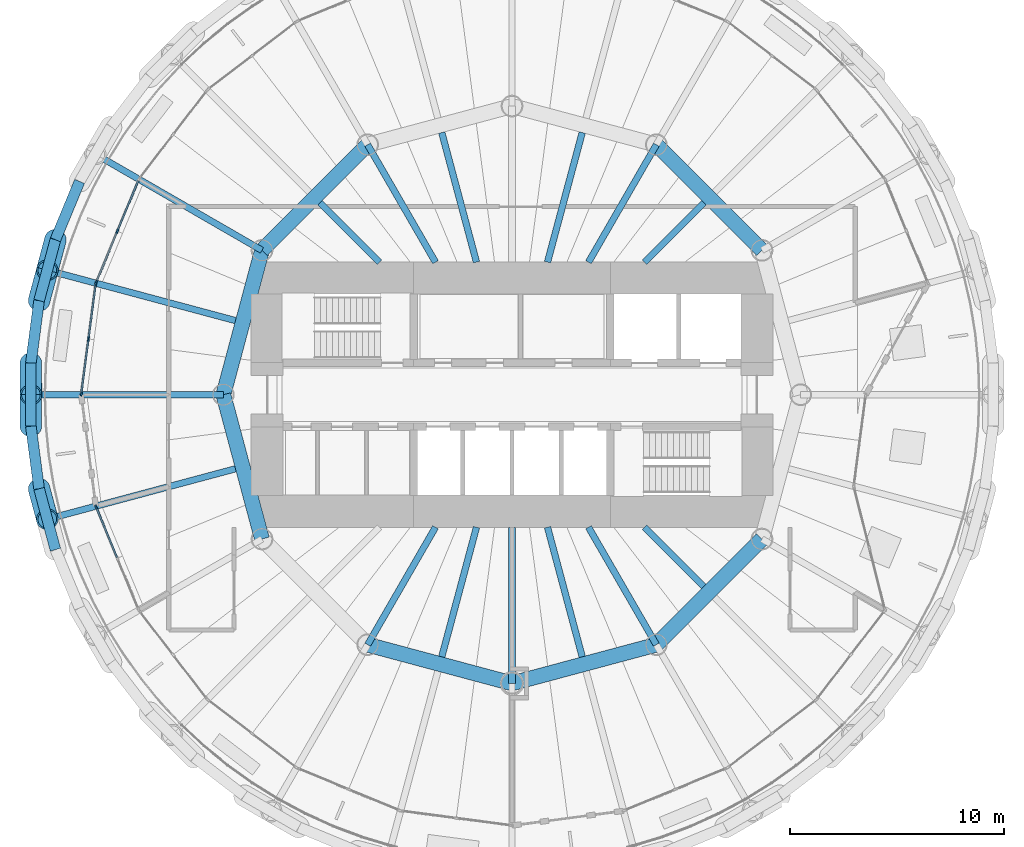
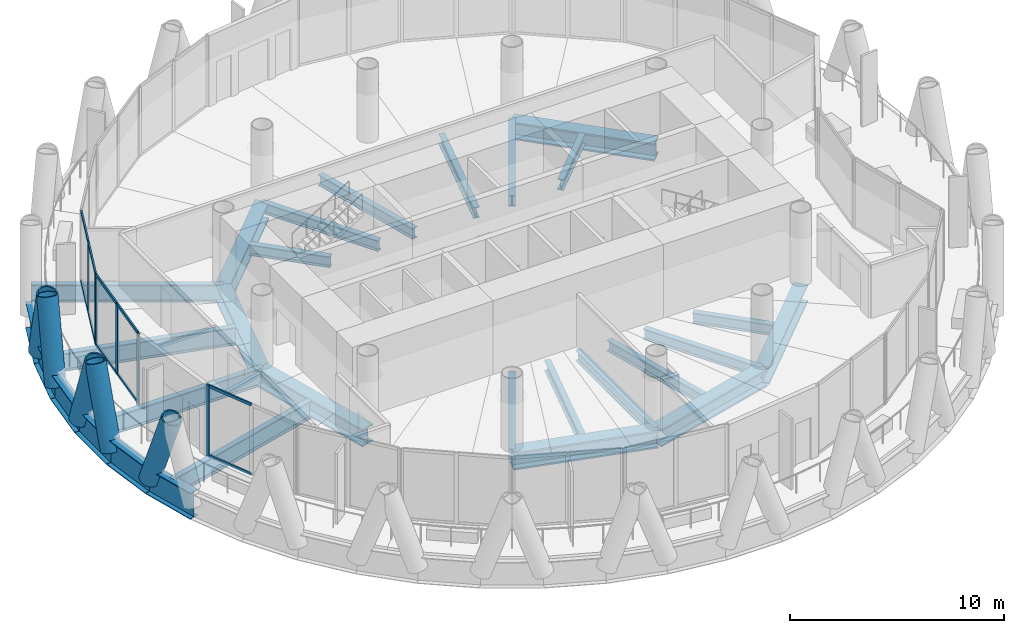
# One storey, part 3 of 13: 29 beams, 21 members, 3 elements without a shape of their own.
"""IFC4 building model written with IfcOpenShell, lengths in metres."""

from ifc_helpers import new_model, si_unit, direction, frame, origin, origin_2d, place, context, subcontext, project, spatial, rectangle, hollow_circle, i_section, extrude, material, material_profile, profile_set, type_object, element, aggregate, save


model = new_model("IFC4")

# Units and contexts
model_context = context("Model", 3, precision=1e-05, world=origin(), true_north=direction((0.0, 1.0)))
body_context = subcontext(model_context, "Body", "Model", "MODEL_VIEW")
ifc_project = project(units=[si_unit("LENGTHUNIT", "METRE"), si_unit("AREAUNIT", "SQUARE_METRE"), si_unit("VOLUMEUNIT", "CUBIC_METRE"), si_unit("PLANEANGLEUNIT", "RADIAN"), si_unit("MASSUNIT", "GRAM", prefix="KILO")], contexts=[model_context])

# Site, building, storey
site_placement = place(None, origin())
site = spatial("IfcSite", under=ifc_project, at=site_placement, CompositionType="ELEMENT")
building_placement = place(site_placement, origin())
building = spatial("IfcBuilding", under=site, at=building_placement, Name="Qaws Media Tower", CompositionType="ELEMENT")
storey_placement = place(building_placement, frame((0.0, 0.0, 223.39990234375)))
storey = spatial("IfcBuildingStorey", under=building, at=storey_placement, Name="L51", CompositionType="ELEMENT", Elevation=223.39990234375)

# Curtain wall, members
ifc_material_1 = material(Name="Aluminium and clear glass", Category="aluminium")
curtain_wall_type = type_object("IfcCurtainWallType", Name="Unitised curtain wall CW-C", PredefinedType="NOTDEFINED", material=ifc_material_1)
curtain_wall_1_placement = place(storey_placement, origin())
curtain_wall_1 = element("IfcCurtainWall", 1, at=curtain_wall_1_placement, inside=storey, type_object=curtain_wall_type, Name="CWC curtain wall L51-11", PredefinedType="NOTDEFINED")
ifc_material_2 = material(Name="Aluminium mullion", Category="aluminium")
ifc_material_profile_1 = material_profile(ifc_material_2, rectangle(XDim=0.080078125, YDim=0.199951171875, at=origin_2d()), Name="80x200")
ifc_profile_set_1 = profile_set([ifc_material_profile_1], Name="Aluminium mullion")
member_type_1 = type_object("IfcMemberType", Name="Curtain wall mullion 80x200", PredefinedType="MULLION", material=ifc_profile_set_1)
member_1_placement = place(storey_placement, frame((41.543212890625, 57.64501953125, 0.0), z_axis=(0.0, 0.0, 1.0), x_axis=(0.92387956031, -0.382683365254, 0.0)))
member_1 = element("IfcMember", 2, at=member_1_placement, type_object=member_type_1, Name="CWC mullion 2", PredefinedType="MULLION", context=body_context, shape_type="SweptSolid", body=[
    extrude(rectangle(XDim=0.080078125, YDim=0.199951171875, at=origin_2d()), origin(), (0.0, 0.0, 1.0), 4.0400390625),
])
member_2_placement = place(storey_placement, frame((40.552001953125, 55.252197265625, 0.0), z_axis=(0.0, 0.0, 1.0), x_axis=(0.92387956031, -0.382683365254, 0.0)))
member_2 = element("IfcMember", 3, at=member_2_placement, type_object=member_type_1, Name="CWC mullion 3", PredefinedType="MULLION", context=body_context, shape_type="SweptSolid", body=[
    extrude(rectangle(XDim=0.080078125, YDim=0.199951171875, at=origin_2d()), origin(), (0.0, 0.0, 1.0), 4.0400390625),
])

curtain_wall_2_placement = place(storey_placement, origin())
curtain_wall_2 = element("IfcCurtainWall", 4, at=curtain_wall_2_placement, inside=storey, type_object=curtain_wall_type, Name="CWC curtain wall L51-12", PredefinedType="NOTDEFINED")
member_3_placement = place(storey_placement, frame((40.531494140625, 55.175537109375, 0.0), z_axis=(0.0, 0.0, 1.0), x_axis=(0.991444852321, -0.130526260986, 0.0)))
member_3 = element("IfcMember", 5, at=member_3_placement, type_object=member_type_1, Name="CWC mullion 1", PredefinedType="MULLION", context=body_context, shape_type="SweptSolid", body=[
    extrude(rectangle(XDim=0.080078125, YDim=0.199951171875, at=origin_2d()), origin(), (0.0, 0.0, 1.0), 4.0400390625),
])
member_4_placement = place(storey_placement, frame((40.193359375, 52.607666015625, 0.0), z_axis=(0.0, 0.0, 1.0), x_axis=(0.991444852321, -0.130526260986, 0.0)))
member_4 = element("IfcMember", 6, at=member_4_placement, type_object=member_type_1, Name="CWC mullion 2", PredefinedType="MULLION", context=body_context, shape_type="SweptSolid", body=[
    extrude(rectangle(XDim=0.080078125, YDim=0.199951171875, at=origin_2d()), origin(), (0.0, 0.0, 1.0), 4.0400390625),
])
member_5_placement = place(storey_placement, frame((39.855224609375, 50.03955078125, 0.0), z_axis=(0.0, 0.0, 1.0), x_axis=(0.991444852321, -0.130526260986, 0.0)))
member_5 = element("IfcMember", 7, at=member_5_placement, type_object=member_type_1, Name="CWC mullion 3", PredefinedType="MULLION", context=body_context, shape_type="SweptSolid", body=[
    extrude(rectangle(XDim=0.080078125, YDim=0.199951171875, at=origin_2d()), origin(), (0.0, 0.0, 1.0), 4.0400390625),
])

# Curtain wall, member
curtain_wall_3_placement = place(storey_placement, origin())
curtain_wall_3 = element("IfcCurtainWall", 8, at=curtain_wall_3_placement, inside=storey, type_object=curtain_wall_type, Name="CWC curtain wall L51-14", PredefinedType="NOTDEFINED")
member_6_placement = place(storey_placement, frame((40.552001953125, 44.747802734375, 0.0), z_axis=(0.0, 0.0, 1.0), x_axis=(0.92387956031, 0.382683365254, 0.0)))
member_6 = element("IfcMember", 9, at=member_6_placement, type_object=member_type_1, Name="CWC mullion 1", PredefinedType="MULLION", context=body_context, shape_type="SweptSolid", body=[
    extrude(rectangle(XDim=0.080078125, YDim=0.199951171875, at=origin_2d()), origin(), (0.0, 0.0, 1.0), 4.0400390625),
])

# Member
ifc_material_3 = material(Name="Aluminium transom", Category="aluminium")
ifc_material_profile_2 = material_profile(ifc_material_3, rectangle(XDim=0.080078125, YDim=0.159912109375, at=origin_2d()), Name="80x160")
ifc_profile_set_2 = profile_set([ifc_material_profile_2], Name="Aluminium transom")
member_type_2 = type_object("IfcMemberType", Name="Curtain wall transom 80x160", PredefinedType="USERDEFINED", material=ifc_profile_set_2)
member_7_placement = place(storey_placement, frame((42.51904296875, 60.0009765625, 0.0400390625), z_axis=(-0.382749815673, -0.92385203285, 0.0), x_axis=(0.92385203285, -0.382749815673, 0.0)))
member_7 = element("IfcMember", 10, at=member_7_placement, type_object=member_type_2, Name="CWC transom 1.1", ObjectType="TRANSOM", PredefinedType="USERDEFINED", context=body_context, shape_type="SweptSolid", body=[
    extrude(rectangle(XDim=0.080078125, YDim=0.159912109375, at=origin_2d()), origin(), (0.0, 0.0, 1.0), 2.510009765625),
])

member_8_placement = place(storey_placement, frame((42.51904296875, 60.0009765625, 4.0), z_axis=(-0.382749815673, -0.92385203285, 0.0), x_axis=(0.92385203285, -0.382749815673, 0.0)))
member_8 = element("IfcMember", 11, at=member_8_placement, type_object=member_type_2, Name="CWC transom 1.2", ObjectType="TRANSOM", PredefinedType="USERDEFINED", context=body_context, shape_type="SweptSolid", body=[
    extrude(rectangle(XDim=0.080078125, YDim=0.159912109375, at=origin_2d()), origin(), (0.0, 0.0, 1.0), 2.510009765625),
])

member_9_placement = place(storey_placement, frame((41.52783203125, 57.608154296875, 0.0400390625), z_axis=(-0.382715424105, -0.92386628045, 0.0), x_axis=(0.92386628045, -0.382715424105, 0.0)))
member_9 = element("IfcMember", 12, at=member_9_placement, type_object=member_type_2, Name="CWC transom 2.1", ObjectType="TRANSOM", PredefinedType="USERDEFINED", context=body_context, shape_type="SweptSolid", body=[
    extrude(rectangle(XDim=0.080078125, YDim=0.159912109375, at=origin_2d()), origin(), (0.0, 0.0, 1.0), 2.51025390625),
])

member_10_placement = place(storey_placement, frame((41.52783203125, 57.608154296875, 4.0), z_axis=(-0.382715424105, -0.92386628045, 0.0), x_axis=(0.92386628045, -0.382715424105, 0.0)))
member_10 = element("IfcMember", 13, at=member_10_placement, type_object=member_type_2, Name="CWC transom 2.2", ObjectType="TRANSOM", PredefinedType="USERDEFINED", context=body_context, shape_type="SweptSolid", body=[
    extrude(rectangle(XDim=0.080078125, YDim=0.159912109375, at=origin_2d()), origin(), (0.0, 0.0, 1.0), 2.51025390625),
])

aggregate(curtain_wall_1, [member_1, member_2, member_7, member_8, member_9, member_10])

member_11_placement = place(storey_placement, frame((40.526123046875, 55.135986328125, 0.0400390625), z_axis=(-0.130519924592, -0.991445686503, 0.0), x_axis=(0.991445686503, -0.130519924592, 0.0)))
member_11 = element("IfcMember", 14, at=member_11_placement, type_object=member_type_2, Name="CWC transom 1.1", ObjectType="TRANSOM", PredefinedType="USERDEFINED", context=body_context, shape_type="SweptSolid", body=[
    extrude(rectangle(XDim=0.080078125, YDim=0.159912109375, at=origin_2d()), origin(), (0.0, 0.0, 1.0), 2.51025390625),
])

member_12_placement = place(storey_placement, frame((40.526123046875, 55.135986328125, 4.0), z_axis=(-0.130519924592, -0.991445686503, 0.0), x_axis=(0.991445686503, -0.130519924592, 0.0)))
member_12 = element("IfcMember", 15, at=member_12_placement, type_object=member_type_2, Name="CWC transom 1.2", ObjectType="TRANSOM", PredefinedType="USERDEFINED", context=body_context, shape_type="SweptSolid", body=[
    extrude(rectangle(XDim=0.080078125, YDim=0.159912109375, at=origin_2d()), origin(), (0.0, 0.0, 1.0), 2.51025390625),
])

member_13_placement = place(storey_placement, frame((40.18798828125, 52.56787109375, 0.0400390625), z_axis=(-0.130532511282, -0.991444029433, 0.0), x_axis=(0.991444029433, -0.130532511282, 0.0)))
member_13 = element("IfcMember", 16, at=member_13_placement, type_object=member_type_2, Name="CWC transom 2.1", ObjectType="TRANSOM", PredefinedType="USERDEFINED", context=body_context, shape_type="SweptSolid", body=[
    extrude(rectangle(XDim=0.080078125, YDim=0.159912109375, at=origin_2d()), origin(), (0.0, 0.0, 1.0), 2.510009765625),
])

member_14_placement = place(storey_placement, frame((40.18798828125, 52.56787109375, 4.0), z_axis=(-0.130532511282, -0.991444029433, 0.0), x_axis=(0.991444029433, -0.130532511282, 0.0)))
member_14 = element("IfcMember", 17, at=member_14_placement, type_object=member_type_2, Name="CWC transom 2.2", ObjectType="TRANSOM", PredefinedType="USERDEFINED", context=body_context, shape_type="SweptSolid", body=[
    extrude(rectangle(XDim=0.080078125, YDim=0.159912109375, at=origin_2d()), origin(), (0.0, 0.0, 1.0), 2.510009765625),
])

aggregate(curtain_wall_2, [member_3, member_4, member_5, member_11, member_12, member_13, member_14])

member_15_placement = place(storey_placement, frame((40.567138671875, 44.7109375, 0.0400390625), z_axis=(0.382715424105, -0.92386628045, 0.0), x_axis=(0.92386628045, 0.382715424105, 0.0)))
member_15 = element("IfcMember", 18, at=member_15_placement, type_object=member_type_2, Name="CWC transom 1.1", ObjectType="TRANSOM", PredefinedType="USERDEFINED", context=body_context, shape_type="SweptSolid", body=[
    extrude(rectangle(XDim=0.080078125, YDim=0.159912109375, at=origin_2d()), origin(), (0.0, 0.0, 1.0), 2.51025390625),
])

member_16_placement = place(storey_placement, frame((40.567138671875, 44.7109375, 4.0), z_axis=(0.382715424105, -0.92386628045, 0.0), x_axis=(0.92386628045, 0.382715424105, 0.0)))
member_16 = element("IfcMember", 19, at=member_16_placement, type_object=member_type_2, Name="CWC transom 1.2", ObjectType="TRANSOM", PredefinedType="USERDEFINED", context=body_context, shape_type="SweptSolid", body=[
    extrude(rectangle(XDim=0.080078125, YDim=0.159912109375, at=origin_2d()), origin(), (0.0, 0.0, 1.0), 2.51025390625),
])

aggregate(curtain_wall_3, [member_6, member_15, member_16])

# Members
ifc_material_4 = material(Name="Steel S460", Category="steel")
ifc_material_profile_3 = material_profile(ifc_material_4, hollow_circle(Radius=0.508056640625, WallThickness=0.070068359375, at=origin_2d()), Name="CHS 1016x70")
ifc_profile_set_3 = profile_set([ifc_material_profile_3], Name="Steel S460")
member_type_3 = type_object("IfcMemberType", Name="Diagrid member CHS 1016x70", PredefinedType="USERDEFINED", material=ifc_profile_set_3)
for number, where, z_axis, x_axis, name in (
    (20, (38.646728515625, 57.24853515625, -0.909912109375), (-0.085395161557, -0.320135875408, 0.943515070181), (0.966215704868, -0.257734769998, 0.0), "DG3 diagrid L51 A11"),
    (21, (37.498291015625, 51.474853515625, -0.909912109375), (0.000383922357, -0.331324993668, 0.943516614149), (0.999999328652, 0.001158747774, 0.0), "DG3 diagrid L51 A12"),
    (22, (37.88330078125, 54.399169921875, -0.909912109375), (0.086107428884, 0.319968624274, 0.943507069487), (-0.965644518869, 0.25986662575, 0.0), "DG3 diagrid L51 B12"),
    (23, (37.88330078125, 45.600830078125, -0.909912109375), (0.086107428884, -0.319968624274, 0.943507069487), (0.965644518869, 0.25986662575, 0.0), "DG3 diagrid L51 A13"),
    (24, (37.498291015625, 48.525146484375, -0.909912109375), (0.000383922357, 0.331324993668, 0.943516614149), (-0.999999328652, 0.001158747774, 0.0), "DG3 diagrid L51 B13"),
):
    element("IfcMember", number, at=place(storey_placement, frame(where, z_axis=z_axis, x_axis=x_axis)), inside=storey, type_object=member_type_3, Name=name, ObjectType="DIAGRID", PredefinedType="USERDEFINED", context=body_context, shape_type="SweptSolid", body=[
        extrude(hollow_circle(Radius=0.508056640625, WallThickness=0.070068359375, at=origin_2d()), origin(), (0.0, 0.0, 1.0), 4.451416015625),
    ])

# Beams
ifc_material_5 = material(Name="Steel S460", Category="steel")
ifc_material_profile_4 = material_profile(ifc_material_5, i_section(OverallWidth=0.5, OverallDepth=1.5, WebThickness=0.02001953125, FlangeThickness=0.0400390625, at=origin_2d()), Name="PG 1500x500")
ifc_profile_set_4 = profile_set([ifc_material_profile_4], Name="Steel S460")
beam_type_1 = type_object("IfcBeamType", Name="Edge ring beam PG 1500x500", PredefinedType="BEAM", material=ifc_profile_set_4)
beam_1_placement = place(storey_placement, frame((39.775634765625, 59.9736328125, -0.909912109375), z_axis=(-0.382722162146, -0.92386348916, 0.0), x_axis=(0.92386348916, -0.382722162146, 0.0)))
element("IfcBeam", 25, at=beam_1_placement, inside=storey, type_object=beam_type_1, Name="RB4 edge ring beam L51-21", PredefinedType="BEAM", context=body_context, shape_type="SweptSolid", body=[
    extrude(i_section(OverallWidth=0.5, OverallDepth=1.5, WebThickness=0.02001953125, FlangeThickness=0.0400390625, at=origin_2d()), origin(), (0.0, 0.0, 1.0), 2.94970703125),
])
beam_2_placement = place(storey_placement, frame((38.646728515625, 57.24853515625, -0.909912109375), z_axis=(-0.258800896618, -0.965930688978, 0.0), x_axis=(0.965930688978, -0.258800896618, 0.0)))
element("IfcBeam", 26, at=beam_2_placement, inside=storey, type_object=beam_type_1, Name="RB4 edge ring beam L51-22", PredefinedType="BEAM", context=body_context, shape_type="SweptSolid", body=[
    extrude(i_section(OverallWidth=0.5, OverallDepth=1.5, WebThickness=0.02001953125, FlangeThickness=0.0400390625, at=origin_2d()), origin(), (0.0, 0.0, 1.0), 2.949951171875),
])
beam_3_placement = place(storey_placement, frame((37.88330078125, 54.399169921875, -0.909912109375), z_axis=(-0.130531593338, -0.991444150288, 0.0), x_axis=(0.991444150288, -0.130531593338, 0.0)))
element("IfcBeam", 27, at=beam_3_placement, inside=storey, type_object=beam_type_1, Name="RB4 edge ring beam L51-23", PredefinedType="BEAM", context=body_context, shape_type="SweptSolid", body=[
    extrude(i_section(OverallWidth=0.5, OverallDepth=1.5, WebThickness=0.02001953125, FlangeThickness=0.0400390625, at=origin_2d()), origin(), (0.0, 0.0, 1.0), 2.949462890625),
])
beam_4_placement = place(storey_placement, frame((37.498291015625, 51.474853515625, -0.909912109375), z_axis=(0.0, -1.0, 0.0), x_axis=(1.0, 0.0, 0.0)))
element("IfcBeam", 28, at=beam_4_placement, inside=storey, type_object=beam_type_1, Name="RB4 edge ring beam L51-24", PredefinedType="BEAM", context=body_context, shape_type="SweptSolid", body=[
    extrude(i_section(OverallWidth=0.5, OverallDepth=1.5, WebThickness=0.02001953125, FlangeThickness=0.0400390625, at=origin_2d()), origin(), (0.0, 0.0, 1.0), 2.94970703125),
])
beam_5_placement = place(storey_placement, frame((37.498291015625, 48.525146484375, -0.909912109375), z_axis=(0.130531593338, -0.991444150288, 0.0), x_axis=(0.991444150288, 0.130531593338, 0.0)))
element("IfcBeam", 29, at=beam_5_placement, inside=storey, type_object=beam_type_1, Name="RB4 edge ring beam L51-25", PredefinedType="BEAM", context=body_context, shape_type="SweptSolid", body=[
    extrude(i_section(OverallWidth=0.5, OverallDepth=1.5, WebThickness=0.02001953125, FlangeThickness=0.0400390625, at=origin_2d()), origin(), (0.0, 0.0, 1.0), 2.949462890625),
])
beam_6_placement = place(storey_placement, frame((37.88330078125, 45.600830078125, -0.909912109375), z_axis=(0.258800896618, -0.965930688978, 0.0), x_axis=(0.965930688978, 0.258800896618, 0.0)))
element("IfcBeam", 30, at=beam_6_placement, inside=storey, type_object=beam_type_1, Name="RB4 edge ring beam L51-26", PredefinedType="BEAM", context=body_context, shape_type="SweptSolid", body=[
    extrude(i_section(OverallWidth=0.5, OverallDepth=1.5, WebThickness=0.02001953125, FlangeThickness=0.0400390625, at=origin_2d()), origin(), (0.0, 0.0, 1.0), 2.949951171875),
])
ifc_material_6 = material(Name="Steel S460", Category="steel")
ifc_material_profile_5 = material_profile(ifc_material_6, i_section(OverallWidth=0.699951171875, OverallDepth=1.0, WebThickness=0.034912109375, FlangeThickness=0.090087890625, at=origin_2d()), Name="PG 1000x700")
ifc_profile_set_5 = profile_set([ifc_material_profile_5], Name="Steel S460")
beam_type_2 = type_object("IfcBeamType", Name="Inner ring girder PG 1000x700", PredefinedType="BEAM", material=ifc_profile_set_5)
for number, where, z_axis, x_axis, name in (
    (31, (71.69140625, 56.75, -0.659912109375), (-0.707106781187, 0.707106781187, 0.0), (-0.707106781187, -0.707106781187, 0.0), "B3 inner ring beam L51 I02-I03"),
    (32, (53.25, 61.69140625, -0.659912109375), (-0.707106781187, -0.707106781187, 0.0), (0.707106781187, -0.707106781187, 0.0), "B3 inner ring beam L51 I05-I06"),
):
    element("IfcBeam", number, at=place(storey_placement, frame(where, z_axis=z_axis, x_axis=x_axis)), inside=storey, type_object=beam_type_2, Name=name, PredefinedType="BEAM", context=body_context, shape_type="SweptSolid", body=[
        extrude(i_section(OverallWidth=0.699951171875, OverallDepth=1.0, WebThickness=0.034912109375, FlangeThickness=0.090087890625, at=origin_2d()), origin(), (0.0, 0.0, 1.0), 6.98828125),
    ])
for number, where, z_axis, x_axis, name in (
    (33, (48.30859375, 56.75, -0.659912109375), (-0.258810593767, -0.965928090778, 0.0), (0.965928090778, -0.258810593767, 0.0), "B3 inner ring beam L51 I06-I07"),
    (34, (46.5, 50.0, -0.659912109375), (0.258810593767, -0.965928090778, 0.0), (0.965928090778, 0.258810593767, 0.0), "B3 inner ring beam L51 I07-I08"),
    (35, (53.25, 38.30859375, -0.659912109375), (0.965928090778, -0.258810593767, 0.0), (0.258810593767, 0.965928090778, 0.0), "B3 inner ring beam L51 I09-I10"),
    (36, (60.0, 36.5, -0.659912109375), (0.965928090778, 0.258810593767, 0.0), (-0.258810593767, 0.965928090778, 0.0), "B3 inner ring beam L51 I10-I11"),
):
    element("IfcBeam", number, at=place(storey_placement, frame(where, z_axis=z_axis, x_axis=x_axis)), inside=storey, type_object=beam_type_2, Name=name, PredefinedType="BEAM", context=body_context, shape_type="SweptSolid", body=[
        extrude(i_section(OverallWidth=0.699951171875, OverallDepth=1.0, WebThickness=0.034912109375, FlangeThickness=0.090087890625, at=origin_2d()), origin(), (0.0, 0.0, 1.0), 6.988037109375),
    ])
beam_7_placement = place(storey_placement, frame((66.75, 38.30859375, -0.659912109375), z_axis=(0.707106781187, 0.707106781187, 0.0), x_axis=(-0.707106781187, 0.707106781187, 0.0)))
element("IfcBeam", 37, at=beam_7_placement, inside=storey, type_object=beam_type_2, Name="B3 inner ring beam L51 I11-I12", PredefinedType="BEAM", context=body_context, shape_type="SweptSolid", body=[
    extrude(i_section(OverallWidth=0.699951171875, OverallDepth=1.0, WebThickness=0.034912109375, FlangeThickness=0.090087890625, at=origin_2d()), origin(), (0.0, 0.0, 1.0), 6.98828125),
])
ifc_material_7 = material(Name="Steel S355", Category="steel")
ifc_material_profile_6 = material_profile(ifc_material_7, i_section(OverallWidth=0.302001953125, OverallDepth=1.008056640625, WebThickness=0.02099609375, FlangeThickness=0.0400390625, FilletRadius=0.030029296875, at=origin_2d()), Name="HE 1000 M")
ifc_profile_set_6 = profile_set([ifc_material_profile_6], Name="Steel S355")
beam_type_3 = type_object("IfcBeamType", Name="Radial beam HE 1000 M", PredefinedType="BEAM", material=ifc_profile_set_6)
beam_8_placement = place(storey_placement, frame((48.30859375, 56.75, -0.663818359375), z_axis=(-0.866018021963, 0.500012785472, 0.0), x_axis=(-0.500012785472, -0.866018021963, 0.0)))
element("IfcBeam", 38, at=beam_8_placement, inside=storey, type_object=beam_type_3, Name="B1 radial beam L51 11", PredefinedType="BEAM", context=body_context, shape_type="SweptSolid", body=[
    extrude(i_section(OverallWidth=0.302001953125, OverallDepth=1.008056640625, WebThickness=0.02099609375, FlangeThickness=0.0400390625, FilletRadius=0.030029296875, at=origin_2d()), origin(), (0.0, 0.0, 1.0), 9.001708984375),
])
beam_9_placement = place(storey_placement, frame((47.066162109375, 53.465576171875, -0.663818359375), z_axis=(-0.965922935072, 0.258829835029, 0.0), x_axis=(-0.258829835029, -0.965922935072, 0.0)))
element("IfcBeam", 39, at=beam_9_placement, inside=storey, type_object=beam_type_3, Name="B1 radial beam L51 12", PredefinedType="BEAM", context=body_context, shape_type="SweptSolid", body=[
    extrude(i_section(OverallWidth=0.302001953125, OverallDepth=1.008056640625, WebThickness=0.02099609375, FlangeThickness=0.0400390625, FilletRadius=0.030029296875, at=origin_2d()), origin(), (0.0, 0.0, 1.0), 9.11181640625),
])
beam_10_placement = place(storey_placement, frame((46.5, 50.0, -0.663818359375), z_axis=(-1.0, 0.0, 0.0), x_axis=(0.0, -1.0, 0.0)))
element("IfcBeam", 40, at=beam_10_placement, inside=storey, type_object=beam_type_3, Name="B1 radial beam L51 13", PredefinedType="BEAM", context=body_context, shape_type="SweptSolid", body=[
    extrude(i_section(OverallWidth=0.302001953125, OverallDepth=1.008056640625, WebThickness=0.02099609375, FlangeThickness=0.0400390625, FilletRadius=0.030029296875, at=origin_2d()), origin(), (0.0, 0.0, 1.0), 9.001708984375),
])
beam_11_placement = place(storey_placement, frame((47.066162109375, 46.534423828125, -0.663818359375), z_axis=(-0.965922935072, -0.258829835029, 0.0), x_axis=(0.258829835029, -0.965922935072, 0.0)))
element("IfcBeam", 41, at=beam_11_placement, inside=storey, type_object=beam_type_3, Name="B1 radial beam L51 14", PredefinedType="BEAM", context=body_context, shape_type="SweptSolid", body=[
    extrude(i_section(OverallWidth=0.302001953125, OverallDepth=1.008056640625, WebThickness=0.02099609375, FlangeThickness=0.0400390625, FilletRadius=0.030029296875, at=origin_2d()), origin(), (0.0, 0.0, 1.0), 9.11181640625),
])
ifc_material_8 = material(Name="Steel S355", Category="steel")
ifc_material_profile_7 = material_profile(ifc_material_8, i_section(OverallWidth=0.304931640625, OverallDepth=0.6201171875, WebThickness=0.02099609375, FlangeThickness=0.0400390625, FilletRadius=0.027099609375, at=origin_2d()), Name="HE 600 M")
ifc_profile_set_7 = profile_set([ifc_material_profile_7], Name="Steel S355")
beam_type_4 = type_object("IfcBeamType", Name="Radial beam HE 600 M, core side", PredefinedType="BEAM", material=ifc_profile_set_7)
beam_12_placement = place(storey_placement, frame((66.199951171875, 56.199951171875, -0.469970703125), z_axis=(0.707106781187, 0.707106781187, 0.0), x_axis=(-0.707106781187, 0.707106781187, 0.0)))
element("IfcBeam", 42, at=beam_12_placement, inside=storey, type_object=beam_type_4, Name="B2 radial beam L51 04", PredefinedType="BEAM", context=body_context, shape_type="SweptSolid", body=[
    extrude(i_section(OverallWidth=0.304931640625, OverallDepth=0.6201171875, WebThickness=0.02099609375, FlangeThickness=0.0400390625, FilletRadius=0.027099609375, at=origin_2d()), origin(), (0.0, 0.0, 1.0), 3.921875),
])
beam_13_placement = place(storey_placement, frame((63.57958984375, 56.199951171875, -0.469970703125), z_axis=(0.499990193304, 0.866031065609, 0.0), x_axis=(-0.866031065609, 0.499990193304, 0.0)))
element("IfcBeam", 43, at=beam_13_placement, inside=storey, type_object=beam_type_4, Name="B2 radial beam L51 05", PredefinedType="BEAM", context=body_context, shape_type="SweptSolid", body=[
    extrude(i_section(OverallWidth=0.304931640625, OverallDepth=0.6201171875, WebThickness=0.02099609375, FlangeThickness=0.0400390625, FilletRadius=0.027099609375, at=origin_2d()), origin(), (0.0, 0.0, 1.0), 6.341064453125),
])
for number, where, z_axis, x_axis, name in (
    (44, (61.661376953125, 56.199951171875, -0.469970703125), (0.258806137559, 0.965929284763, 0.0), (-0.965929284763, 0.258806137559, 0.0), "B2 radial beam L51 06"),
    (45, (58.338623046875, 56.199951171875, -0.469970703125), (-0.258806137559, 0.965929284763, 0.0), (-0.965929284763, -0.258806137559, 0.0), "B2 radial beam L51 08"),
):
    element("IfcBeam", number, at=place(storey_placement, frame(where, z_axis=z_axis, x_axis=x_axis)), inside=storey, type_object=beam_type_4, Name=name, PredefinedType="BEAM", context=body_context, shape_type="SweptSolid", body=[
        extrude(i_section(OverallWidth=0.304931640625, OverallDepth=0.6201171875, WebThickness=0.02099609375, FlangeThickness=0.0400390625, FilletRadius=0.027099609375, at=origin_2d()), origin(), (0.0, 0.0, 1.0), 6.271240234375),
    ])
beam_14_placement = place(storey_placement, frame((56.42041015625, 56.199951171875, -0.469970703125), z_axis=(-0.499990193304, 0.866031065609, 0.0), x_axis=(-0.866031065609, -0.499990193304, 0.0)))
element("IfcBeam", 46, at=beam_14_placement, inside=storey, type_object=beam_type_4, Name="B2 radial beam L51 09", PredefinedType="BEAM", context=body_context, shape_type="SweptSolid", body=[
    extrude(i_section(OverallWidth=0.304931640625, OverallDepth=0.6201171875, WebThickness=0.02099609375, FlangeThickness=0.0400390625, FilletRadius=0.027099609375, at=origin_2d()), origin(), (0.0, 0.0, 1.0), 6.341064453125),
])
beam_15_placement = place(storey_placement, frame((53.800048828125, 56.199951171875, -0.469970703125), z_axis=(-0.707106781187, 0.707106781187, 0.0), x_axis=(-0.707106781187, -0.707106781187, 0.0)))
element("IfcBeam", 47, at=beam_15_placement, inside=storey, type_object=beam_type_4, Name="B2 radial beam L51 10", PredefinedType="BEAM", context=body_context, shape_type="SweptSolid", body=[
    extrude(i_section(OverallWidth=0.304931640625, OverallDepth=0.6201171875, WebThickness=0.02099609375, FlangeThickness=0.0400390625, FilletRadius=0.027099609375, at=origin_2d()), origin(), (0.0, 0.0, 1.0), 3.921875),
])
beam_16_placement = place(storey_placement, frame((56.42041015625, 43.800048828125, -0.469970703125), z_axis=(-0.499990193304, -0.866031065609, 0.0), x_axis=(0.866031065609, -0.499990193304, 0.0)))
element("IfcBeam", 48, at=beam_16_placement, inside=storey, type_object=beam_type_4, Name="B2 radial beam L51 17", PredefinedType="BEAM", context=body_context, shape_type="SweptSolid", body=[
    extrude(i_section(OverallWidth=0.304931640625, OverallDepth=0.6201171875, WebThickness=0.02099609375, FlangeThickness=0.0400390625, FilletRadius=0.027099609375, at=origin_2d()), origin(), (0.0, 0.0, 1.0), 6.341064453125),
])
beam_17_placement = place(storey_placement, frame((58.338623046875, 43.800048828125, -0.469970703125), z_axis=(-0.258806137559, -0.965929284763, 0.0), x_axis=(0.965929284763, -0.258806137559, 0.0)))
element("IfcBeam", 49, at=beam_17_placement, inside=storey, type_object=beam_type_4, Name="B2 radial beam L51 18", PredefinedType="BEAM", context=body_context, shape_type="SweptSolid", body=[
    extrude(i_section(OverallWidth=0.304931640625, OverallDepth=0.6201171875, WebThickness=0.02099609375, FlangeThickness=0.0400390625, FilletRadius=0.027099609375, at=origin_2d()), origin(), (0.0, 0.0, 1.0), 6.271240234375),
])
beam_18_placement = place(storey_placement, frame((60.0, 43.800048828125, -0.469970703125), z_axis=(0.0, -1.0, 0.0), x_axis=(1.0, 0.0, 0.0)))
element("IfcBeam", 50, at=beam_18_placement, inside=storey, type_object=beam_type_4, Name="B2 radial beam L51 19", PredefinedType="BEAM", context=body_context, shape_type="SweptSolid", body=[
    extrude(i_section(OverallWidth=0.304931640625, OverallDepth=0.6201171875, WebThickness=0.02099609375, FlangeThickness=0.0400390625, FilletRadius=0.027099609375, at=origin_2d()), origin(), (0.0, 0.0, 1.0), 7.300048828125),
])
beam_19_placement = place(storey_placement, frame((61.661376953125, 43.800048828125, -0.469970703125), z_axis=(0.258806137559, -0.965929284763, 0.0), x_axis=(0.965929284763, 0.258806137559, 0.0)))
element("IfcBeam", 51, at=beam_19_placement, inside=storey, type_object=beam_type_4, Name="B2 radial beam L51 20", PredefinedType="BEAM", context=body_context, shape_type="SweptSolid", body=[
    extrude(i_section(OverallWidth=0.304931640625, OverallDepth=0.6201171875, WebThickness=0.02099609375, FlangeThickness=0.0400390625, FilletRadius=0.027099609375, at=origin_2d()), origin(), (0.0, 0.0, 1.0), 6.271240234375),
])
beam_20_placement = place(storey_placement, frame((63.57958984375, 43.800048828125, -0.469970703125), z_axis=(0.499990193304, -0.866031065609, 0.0), x_axis=(0.866031065609, 0.499990193304, 0.0)))
element("IfcBeam", 52, at=beam_20_placement, inside=storey, type_object=beam_type_4, Name="B2 radial beam L51 21", PredefinedType="BEAM", context=body_context, shape_type="SweptSolid", body=[
    extrude(i_section(OverallWidth=0.304931640625, OverallDepth=0.6201171875, WebThickness=0.02099609375, FlangeThickness=0.0400390625, FilletRadius=0.027099609375, at=origin_2d()), origin(), (0.0, 0.0, 1.0), 6.341064453125),
])
beam_21_placement = place(storey_placement, frame((66.199951171875, 43.800048828125, -0.469970703125), z_axis=(0.707106781187, -0.707106781187, 0.0), x_axis=(0.707106781187, 0.707106781187, 0.0)))
element("IfcBeam", 53, at=beam_21_placement, inside=storey, type_object=beam_type_4, Name="B2 radial beam L51 22", PredefinedType="BEAM", context=body_context, shape_type="SweptSolid", body=[
    extrude(i_section(OverallWidth=0.304931640625, OverallDepth=0.6201171875, WebThickness=0.02099609375, FlangeThickness=0.0400390625, FilletRadius=0.027099609375, at=origin_2d()), origin(), (0.0, 0.0, 1.0), 3.921875),
])

save(model, "model.ifc")
